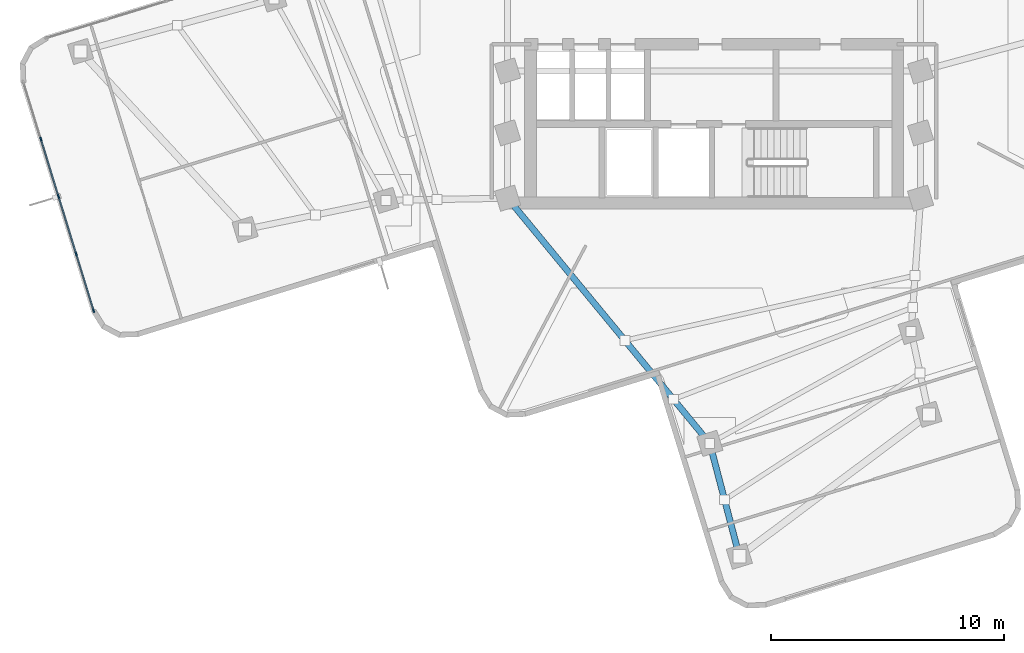
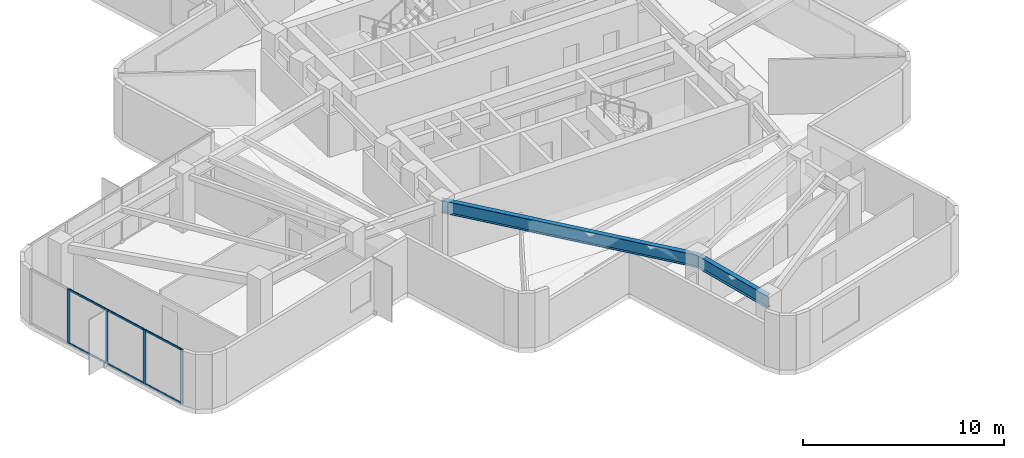
# One storey, part 2 of 10: 10 members, 2 beams, 1 element without a shape of its own.
"""IFC4 building model written with IfcOpenShell, lengths in metres."""

from ifc_helpers import new_model, si_unit, direction, frame, origin, origin_2d, place, context, subcontext, project, spatial, rectangle, i_section, extrude, material, layer, layer_set, material_profile, profile_set, type_object, element, aggregate, save


model = new_model("IFC4")

# Units and contexts
model_context = context("Model", 3, precision=1e-05, world=origin(), true_north=direction((0.0, 1.0)))
body_context = subcontext(model_context, "Body", "Model", "MODEL_VIEW")
ifc_project = project(units=[si_unit("LENGTHUNIT", "METRE"), si_unit("AREAUNIT", "SQUARE_METRE"), si_unit("VOLUMEUNIT", "CUBIC_METRE"), si_unit("PLANEANGLEUNIT", "RADIAN"), si_unit("MASSUNIT", "GRAM", prefix="KILO")], contexts=[model_context])

# Site, building, storey
site_placement = place(None, origin())
site = spatial("IfcSite", under=ifc_project, at=site_placement, CompositionType="ELEMENT")
building_placement = place(site_placement, origin())
building = spatial("IfcBuilding", under=site, at=building_placement, Name="Solmarez Civic Tower", CompositionType="ELEMENT")
storey_placement = place(building_placement, frame((0.0, 0.0, 148.679931640625)))
storey = spatial("IfcBuildingStorey", under=building, at=storey_placement, Name="L39", CompositionType="ELEMENT", Elevation=148.679931640625)

# Beams
ifc_material_1 = material(Name="Steel S355", Category="steel")
ifc_material_profile_1 = material_profile(ifc_material_1, i_section(OverallWidth=0.26708984375, OverallDepth=0.761962890625, WebThickness=0.014404296875, FlangeThickness=0.021484375, at=origin_2d()), Name="W30X116")
ifc_profile_set_1 = profile_set([ifc_material_profile_1], Name="Steel S355")
beam_type = type_object("IfcBeamType", Name="BM-PR-W30X116", PredefinedType="BEAM", material=ifc_profile_set_1)
beam_1_placement = place(storey_placement, frame((-8.85009765625, -8.35009765625, 2.93896484375), z_axis=(0.636218453069, -0.77150896299, 0.0), x_axis=(0.77150896299, 0.636218453069, 0.0)))
element("IfcBeam", 1, at=beam_1_placement, inside=storey, type_object=beam_type, Name="L39 Primary Floor Beam BM-L39-SA-R1A", PredefinedType="BEAM", context=body_context, shape_type="SweptSolid", body=[
    extrude(i_section(OverallWidth=0.26708984375, OverallDepth=0.761962890625, WebThickness=0.014404296875, FlangeThickness=0.021484375, at=origin_2d()), origin(), (0.0, 0.0, 1.0), 13.62255859375),
])
beam_2_placement = place(storey_placement, frame((-0.18310546875, -18.860107421875, 2.93896484375), z_axis=(0.253228832632, -0.967406408043, 0.0), x_axis=(0.967406408043, 0.253228832632, 0.0)))
element("IfcBeam", 2, at=beam_2_placement, inside=storey, type_object=beam_type, Name="L39 Primary Floor Beam BM-L39-SA-R2A", PredefinedType="BEAM", context=body_context, shape_type="SweptSolid", body=[
    extrude(i_section(OverallWidth=0.26708984375, OverallDepth=0.761962890625, WebThickness=0.014404296875, FlangeThickness=0.021484375, at=origin_2d()), origin(), (0.0, 0.0, 1.0), 5.0),
])

# Curtain wall, members
ifc_material_2 = material(Name="Bronze Anodised Aluminium EN AW-6063 T6", Category="aluminium")
ifc_layer = layer(ifc_material_2, 0.175048828125)
ifc_layer_set = layer_set([ifc_layer], Name="Bronze Anodised Aluminium EN AW-6063 T6")
curtain_wall_type = type_object("IfcCurtainWallType", Name="CW-SYS-3", PredefinedType="NOTDEFINED", material=ifc_layer_set)
curtain_wall_placement = place(storey_placement, origin())
curtain_wall = element("IfcCurtainWall", 3, at=curtain_wall_placement, inside=storey, type_object=curtain_wall_type, Name="L39 Stick-Built Curtain Wall 1", PredefinedType="NOTDEFINED")
ifc_material_profile_2 = material_profile(ifc_material_2, rectangle(XDim=0.06494140625, YDim=0.1650390625, at=origin_2d()), Name="CWM-65X165")
ifc_profile_set_2 = profile_set([ifc_material_profile_2], Name="Bronze Anodised Aluminium EN AW-6063 T6")
member_type_1 = type_object("IfcMemberType", Name="CWM-TYPE-3", PredefinedType="MULLION", material=ifc_profile_set_2)
member_1_placement = place(storey_placement, frame((-26.590576171875, -13.178955078125, 0.0), z_axis=(0.0, 0.0, 1.0), x_axis=(-0.955816709282, -0.293963294064, 0.0)))
member_1 = element("IfcMember", 4, at=member_1_placement, type_object=member_type_1, Name="CWS3 mullion 1", PredefinedType="MULLION", context=body_context, shape_type="SweptSolid", body=[
    extrude(rectangle(XDim=0.06494140625, YDim=0.1650390625, at=origin_2d()), origin(), (0.0, 0.0, 1.0), 3.320068359375),
])
member_2_placement = place(storey_placement, frame((-27.339599609375, -10.74365234375, 0.0), z_axis=(0.0, 0.0, 1.0), x_axis=(-0.955816709282, -0.293963294064, 0.0)))
member_2 = element("IfcMember", 5, at=member_2_placement, type_object=member_type_1, Name="CWS3 mullion 2", PredefinedType="MULLION", context=body_context, shape_type="SweptSolid", body=[
    extrude(rectangle(XDim=0.06494140625, YDim=0.1650390625, at=origin_2d()), origin(), (0.0, 0.0, 1.0), 3.320068359375),
])
member_3_placement = place(storey_placement, frame((-28.097900390625, -8.277587890625, 0.0), z_axis=(0.0, 0.0, 1.0), x_axis=(-0.955816709282, -0.293963294064, 0.0)))
member_3 = element("IfcMember", 6, at=member_3_placement, type_object=member_type_1, Name="CWS3 mullion 3", PredefinedType="MULLION", context=body_context, shape_type="SweptSolid", body=[
    extrude(rectangle(XDim=0.06494140625, YDim=0.1650390625, at=origin_2d()), origin(), (0.0, 0.0, 1.0), 3.320068359375),
])
member_4_placement = place(storey_placement, frame((-28.8564453125, -5.811279296875, 0.0), z_axis=(0.0, 0.0, 1.0), x_axis=(-0.955816709282, -0.293963294064, 0.0)))
member_4 = element("IfcMember", 7, at=member_4_placement, type_object=member_type_1, Name="CWS3 mullion 4", PredefinedType="MULLION", context=body_context, shape_type="SweptSolid", body=[
    extrude(rectangle(XDim=0.06494140625, YDim=0.1650390625, at=origin_2d()), origin(), (0.0, 0.0, 1.0), 3.320068359375),
])
ifc_material_profile_3 = material_profile(ifc_material_2, rectangle(XDim=0.06005859375, YDim=0.110107421875, at=origin_2d()), Name="CWT-60X110")
ifc_profile_set_3 = profile_set([ifc_material_profile_3], Name="Bronze Anodised Aluminium EN AW-6063 T6")
member_type_2 = type_object("IfcMemberType", Name="CWT-TYPE-3", PredefinedType="USERDEFINED", material=ifc_profile_set_3)
member_5_placement = place(storey_placement, frame((-26.60009765625, -13.14794921875, 0.030029296875), z_axis=(-0.293926912205, 0.955827897836, 0.0), x_axis=(-0.955827897836, -0.293926912205, 0.0)))
member_5 = element("IfcMember", 8, at=member_5_placement, type_object=member_type_2, Name="CWS3 transom 1.1", ObjectType="TRANSOM", PredefinedType="USERDEFINED", context=body_context, shape_type="SweptSolid", body=[
    extrude(rectangle(XDim=0.06005859375, YDim=0.110107421875, at=origin_2d()), origin(), (0.0, 0.0, 1.0), 2.482666015625),
])
member_6_placement = place(storey_placement, frame((-26.60009765625, -13.14794921875, 3.2900390625), z_axis=(-0.293926912205, 0.955827897836, 0.0), x_axis=(-0.955827897836, -0.293926912205, 0.0)))
member_6 = element("IfcMember", 9, at=member_6_placement, type_object=member_type_2, Name="CWS3 transom 1.2", ObjectType="TRANSOM", PredefinedType="USERDEFINED", context=body_context, shape_type="SweptSolid", body=[
    extrude(rectangle(XDim=0.06005859375, YDim=0.110107421875, at=origin_2d()), origin(), (0.0, 0.0, 1.0), 2.482666015625),
])
member_7_placement = place(storey_placement, frame((-27.34912109375, -10.712646484375, 0.030029296875), z_axis=(-0.293922140522, 0.955829365165, 0.0), x_axis=(-0.955829365165, -0.293922140522, 0.0)))
member_7 = element("IfcMember", 10, at=member_7_placement, type_object=member_type_2, Name="CWS3 transom 2.1", ObjectType="TRANSOM", PredefinedType="USERDEFINED", context=body_context, shape_type="SweptSolid", body=[
    extrude(rectangle(XDim=0.06005859375, YDim=0.110107421875, at=origin_2d()), origin(), (0.0, 0.0, 1.0), 2.51513671875),
])
member_8_placement = place(storey_placement, frame((-27.34912109375, -10.712646484375, 3.2900390625), z_axis=(-0.293922140522, 0.955829365165, 0.0), x_axis=(-0.955829365165, -0.293922140522, 0.0)))
member_8 = element("IfcMember", 11, at=member_8_placement, type_object=member_type_2, Name="CWS3 transom 2.2", ObjectType="TRANSOM", PredefinedType="USERDEFINED", context=body_context, shape_type="SweptSolid", body=[
    extrude(rectangle(XDim=0.06005859375, YDim=0.110107421875, at=origin_2d()), origin(), (0.0, 0.0, 1.0), 2.51513671875),
])
member_9_placement = place(storey_placement, frame((-28.107666015625, -8.246337890625, 0.030029296875), z_axis=(-0.293922140522, 0.955829365165, 0.0), x_axis=(-0.955829365165, -0.293922140522, 0.0)))
member_9 = element("IfcMember", 12, at=member_9_placement, type_object=member_type_2, Name="CWS3 transom 3.1", ObjectType="TRANSOM", PredefinedType="USERDEFINED", context=body_context, shape_type="SweptSolid", body=[
    extrude(rectangle(XDim=0.06005859375, YDim=0.110107421875, at=origin_2d()), origin(), (0.0, 0.0, 1.0), 2.51513671875),
])
member_10_placement = place(storey_placement, frame((-28.107666015625, -8.246337890625, 3.2900390625), z_axis=(-0.293922140522, 0.955829365165, 0.0), x_axis=(-0.955829365165, -0.293922140522, 0.0)))
member_10 = element("IfcMember", 13, at=member_10_placement, type_object=member_type_2, Name="CWS3 transom 3.2", ObjectType="TRANSOM", PredefinedType="USERDEFINED", context=body_context, shape_type="SweptSolid", body=[
    extrude(rectangle(XDim=0.06005859375, YDim=0.110107421875, at=origin_2d()), origin(), (0.0, 0.0, 1.0), 2.51513671875),
])
aggregate(curtain_wall, [member_1, member_2, member_3, member_4, member_5, member_6, member_7, member_8, member_9, member_10])

save(model, "model.ifc")
